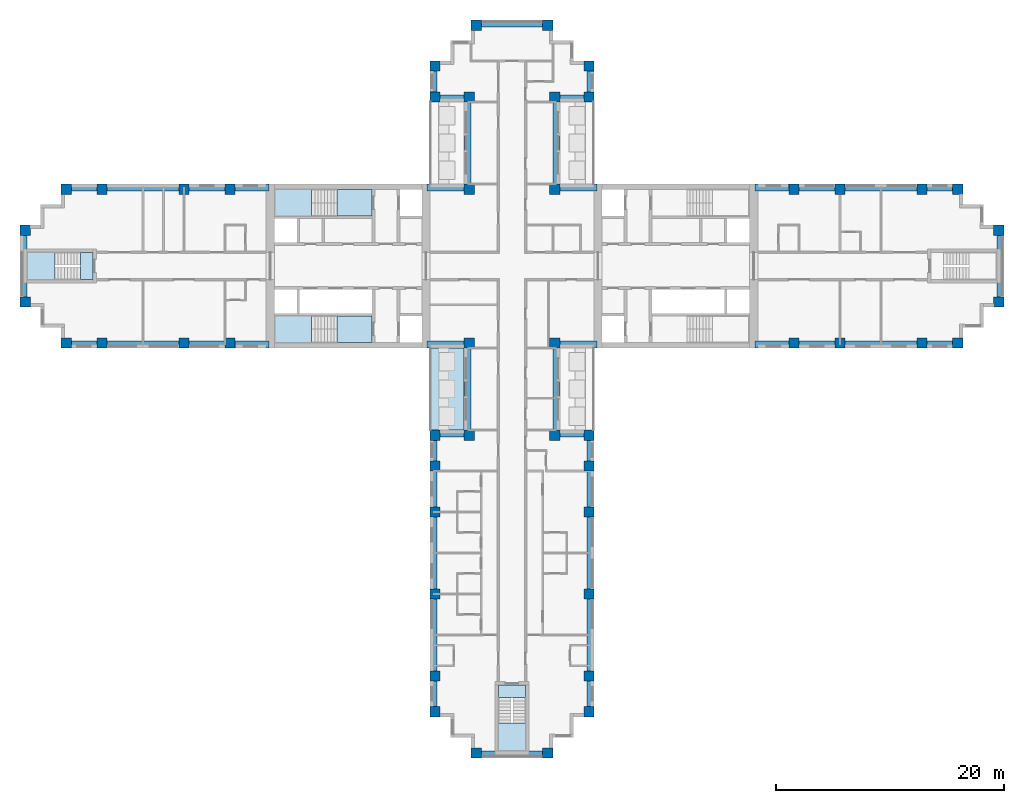
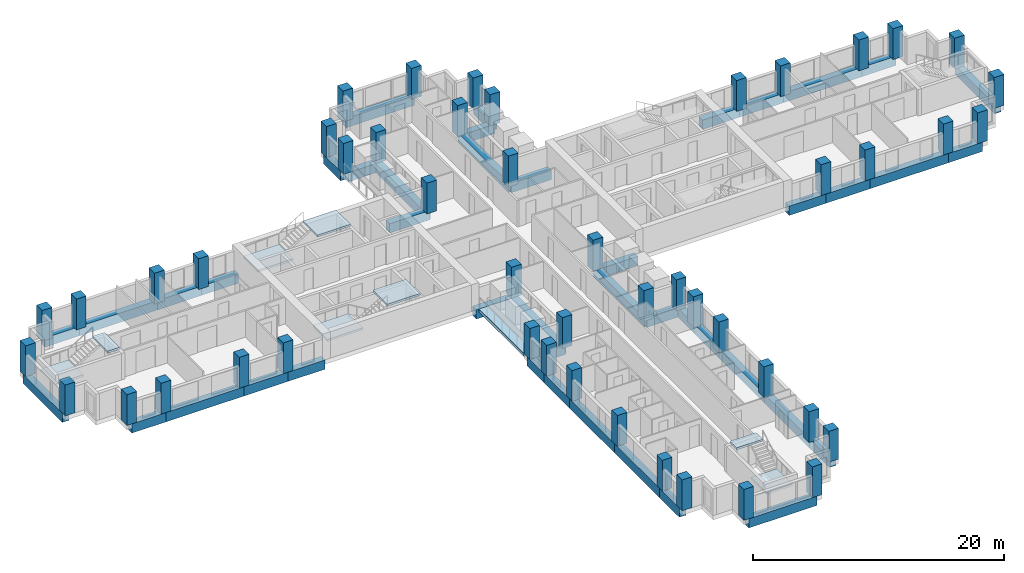
# One storey, part 1 of 13: 48 columns, 44 beams, 9 slabs, 4 elements without a shape of their own.
"""IFC4 building model written with IfcOpenShell, lengths in metres."""

import ifcopenshell
import ifcopenshell.guid

model = None  # the IFC model being written
_history = None  # IfcOwnerHistory: only IFC2X3 demands one
_inside = {}  # id of a spatial element -> (the spatial element, [elements in it])
_under = {}  # id of a project, library or spatial element -> (it, [spatial elements below it])
_declared = {}  # id of a project -> (the project, [libraries it declares])
_typed = {}  # id of a type object -> (the type object, [elements of that type])
_made_of = {}  # id of a material, layer set ... -> (it, [elements and type objects made of it])


def new_model(schema):
    """Start an empty IFC model of exactly this schema.

    Asked for "IFC4X3", IfcOpenShell would pick the latest addendum, in which some entities
    have other attributes; the version numbers below select the first issue.
    IFC2X3 requires an IfcOwnerHistory on every rooted entity: one is made here for all.
    """
    global model, _history
    if schema == "IFC4X3":
        model = ifcopenshell.file(schema_version=(4, 3, 0, 0))
    else:
        model = ifcopenshell.file(schema=schema)
    _inside.clear()
    _under.clear()
    _declared.clear()
    _typed.clear()
    _made_of.clear()
    _history = None
    if model.schema == "IFC2X3":
        org = make("IfcOrganization", Name="unknown")
        user = make(
            "IfcPersonAndOrganization",
            ThePerson=make("IfcPerson", FamilyName="unknown"),
            TheOrganization=org,
        )
        app = make(
            "IfcApplication",
            ApplicationDeveloper=org,
            Version="unknown",
            ApplicationFullName="unknown",
            ApplicationIdentifier="unknown",
        )
        _history = make(
            "IfcOwnerHistory",
            OwningUser=user,
            OwningApplication=app,
            ChangeAction="ADDED",
            CreationDate=0,
        )
    return model


def make(cls, **values):
    """One entity of the class cls with the attributes given. An attribute that is None is left unset."""
    return model.create_entity(
        cls, **{name: value for name, value in values.items() if value is not None}
    )


def rooted(cls, **values):
    """An entity with a GlobalId (a new one), such as an element, a storey or a relation."""
    return make(cls, GlobalId=ifcopenshell.guid.new(), OwnerHistory=_history, **values)


def si_unit(unit_type, name, prefix=None):
    """IfcSIUnit, for example si_unit("LENGTHUNIT", "METRE", prefix="MILLI")."""
    return make("IfcSIUnit", UnitType=unit_type, Prefix=prefix, Name=name)


def assignment(units):
    """IfcUnitAssignment: the units of a project."""
    return None if units is None else make("IfcUnitAssignment", Units=units)


def point(xyz):
    """IfcCartesianPoint."""
    return None if xyz is None else make("IfcCartesianPoint", Coordinates=xyz)


def direction(xyz):
    """IfcDirection."""
    return None if xyz is None else make("IfcDirection", DirectionRatios=xyz)


def frame(location, z_axis=None, x_axis=None):
    """IfcAxis2Placement3D, a coordinate frame: its origin and axes. An axis left out is left unset."""
    return make(
        "IfcAxis2Placement3D",
        Location=point(location),
        Axis=direction(z_axis),
        RefDirection=direction(x_axis),
    )


def frame_2d(location, x_axis=None):
    """IfcAxis2Placement2D, a coordinate frame in the plane: its origin and x axis."""
    return make(
        "IfcAxis2Placement2D", Location=point(location), RefDirection=direction(x_axis)
    )


def origin():
    """The frame at (0, 0, 0) with its axes left unset."""
    return frame((0.0, 0.0, 0.0))


def origin_2d():
    """The frame at (0, 0) in the plane with its x axis left unset."""
    return frame_2d((0.0, 0.0))


def place(relative_to, where):
    """IfcLocalPlacement: puts the frame where relative to a parent placement (None: the world)."""
    return make(
        "IfcLocalPlacement", PlacementRelTo=relative_to, RelativePlacement=where
    )


def context(
    kind, dimensions, precision=None, world=None, true_north=None, identifier=None
):
    """IfcGeometricRepresentationContext, for example the 3D "Model" context."""
    return make(
        "IfcGeometricRepresentationContext",
        ContextIdentifier=identifier,
        ContextType=kind,
        CoordinateSpaceDimension=dimensions,
        Precision=precision,
        WorldCoordinateSystem=world,
        TrueNorth=true_north,
    )


def subcontext(parent, identifier, kind, view, scale=None):
    """IfcGeometricRepresentationSubContext, for example "Body" below "Model"."""
    return make(
        "IfcGeometricRepresentationSubContext",
        ContextIdentifier=identifier,
        ContextType=kind,
        ParentContext=parent,
        TargetScale=scale,
        TargetView=view,
    )


def project(units=None, contexts=None):
    """IfcProject with its units and contexts."""
    return rooted(
        "IfcProject",
        Name="project",
        RepresentationContexts=contexts,
        UnitsInContext=assignment(units),
    )


def spatial(cls, under=None, at=None, **own):
    """A site, building, storey or space (cls), placed at a placement, below another one or the project."""
    s = rooted(cls, ObjectPlacement=at, **own)
    if under is not None:
        _under.setdefault(under.id(), (under, []))[1].append(s)
    return s


def polyline(points):
    """IfcPolyline through the points."""
    return make("IfcPolyline", Points=[point(p) for p in points])


def profile(cls, at=None, kind="AREA", **sizes):
    """A parametric profile (cls). Its sizes go by their IFC names, for example OverallWidth=200.0."""
    return make(cls, ProfileType=kind, Position=at, **sizes)


def rectangle(**sizes):
    """IfcRectangleProfileDef."""
    return profile("IfcRectangleProfileDef", **sizes)


def outline(outer, holes=None, kind="AREA"):
    """IfcArbitraryClosedProfileDef: a profile drawn as a closed curve; with holes, ...WithVoids."""
    if holes is None:
        return make("IfcArbitraryClosedProfileDef", ProfileType=kind, OuterCurve=outer)
    return make(
        "IfcArbitraryProfileDefWithVoids",
        ProfileType=kind,
        OuterCurve=outer,
        InnerCurves=holes,
    )


def extrude(swept, where, along, depth):
    """IfcExtrudedAreaSolid: the profile swept, set in the frame where, extruded along a direction by depth."""
    return make(
        "IfcExtrudedAreaSolid",
        SweptArea=swept,
        Position=where,
        ExtrudedDirection=direction(along),
        Depth=depth,
    )


def shape(context_of_items, identifier, shape_type, items):
    """IfcShapeRepresentation: the items that make up one representation, for example the "Body"."""
    return make(
        "IfcShapeRepresentation",
        ContextOfItems=context_of_items,
        RepresentationIdentifier=identifier,
        RepresentationType=shape_type,
        Items=items,
    )


def material(Name=None, Category=None):
    """IfcMaterial."""
    return make("IfcMaterial", Name=Name, Category=Category)


def layer(
    of_material, thickness, ventilated=None, Name=None, Category=None, Priority=None
):
    """IfcMaterialLayer: one layer of a wall or slab, of a material (None: an air gap)."""
    return make(
        "IfcMaterialLayer",
        Material=of_material,
        LayerThickness=thickness,
        IsVentilated=ventilated,
        Name=Name,
        Category=Category,
        Priority=Priority,
    )


def layer_set(layers, Name=None):
    """IfcMaterialLayerSet."""
    return make("IfcMaterialLayerSet", MaterialLayers=layers, LayerSetName=Name)


def material_profile(
    of_material, cross_section, Name=None, Category=None, Priority=None
):
    """IfcMaterialProfile: a cross section and its material."""
    return make(
        "IfcMaterialProfile",
        Name=Name,
        Material=of_material,
        Profile=cross_section,
        Priority=Priority,
        Category=Category,
    )


def profile_set(profiles, Name=None, composite=None):
    """IfcMaterialProfileSet."""
    return make(
        "IfcMaterialProfileSet",
        Name=Name,
        MaterialProfiles=profiles,
        CompositeProfile=composite,
    )


def made_of(thing, what):
    """Note that an element or type object is made of a material, layer set ...; save() writes the relation."""
    if what is not None:
        _made_of.setdefault(what.id(), (what, []))[1].append(thing)
    return thing


def type_object(cls, material=None, **own):
    """A type object (cls), such as IfcWallType, which elements share."""
    return made_of(rooted(cls, **own), material)


def element(
    cls,
    number,
    at=None,
    inside=None,
    cuts=None,
    type_object=None,
    material=None,
    context=None,
    identifier="Body",
    shape_type=None,
    held_by="IfcProductDefinitionShape",
    body=None,
    shapes=None,
    **own,
):
    """One element of the class cls, such as IfcWall. Its Tag is "e" and its number.

    at: its placement. inside: the storey or other place that contains it. cuts: it is an
    opening in that element (IfcRelVoidsElement). A single representation is given by context,
    identifier, shape_type and body (its items); several are given by shapes. held_by: the class
    of the entity that holds the representations. save() writes the other relations.
    """
    e = rooted(cls, Tag="e%d" % number, ObjectPlacement=at, **own)
    if body is not None:
        shapes = [shape(context, identifier, shape_type, body)]
    if shapes is not None:
        e.Representation = make(held_by, Representations=shapes)
    if inside is not None:
        _inside.setdefault(inside.id(), (inside, []))[1].append(e)
    if cuts is not None:
        rooted(
            "IfcRelVoidsElement", RelatingBuildingElement=cuts, RelatedOpeningElement=e
        )
    if type_object is not None:
        _typed.setdefault(type_object.id(), (type_object, []))[1].append(e)
    return made_of(e, material)


def aggregate(whole, parts):
    """IfcRelAggregates: a whole, such as a stair, and the parts it consists of."""
    return rooted("IfcRelAggregates", RelatingObject=whole, RelatedObjects=parts)


def save(model, path):
    """Write the relations noted so far, then the file.

    IfcRelAggregates (storeys below a building ...), IfcRelContainedInSpatialStructure (elements
    in a storey), IfcRelDefinesByType, IfcRelAssociatesMaterial and IfcRelDeclares: one each for
    every whole, place, type object, material and project.
    """
    for whole, parts in _under.values():
        aggregate(whole, parts)
    for where, things in _inside.values():
        rooted(
            "IfcRelContainedInSpatialStructure",
            RelatedElements=things,
            RelatingStructure=where,
        )
    for kind, things in _typed.values():
        rooted("IfcRelDefinesByType", RelatedObjects=things, RelatingType=kind)
    for what, things in _made_of.values():
        rooted("IfcRelAssociatesMaterial", RelatedObjects=things, RelatingMaterial=what)
    for by, libraries in _declared.values():
        rooted("IfcRelDeclares", RelatingContext=by, RelatedDefinitions=libraries)
    model.write(path)


model = new_model("IFC4")

# Units and contexts
model_context = context("Model", 3, precision=1e-05, world=origin(), true_north=direction((0.0, 1.0)))
body_context = subcontext(model_context, "Body", "Model", "MODEL_VIEW")
ifc_project = project(units=[si_unit("LENGTHUNIT", "METRE"), si_unit("AREAUNIT", "SQUARE_METRE"), si_unit("VOLUMEUNIT", "CUBIC_METRE"), si_unit("PLANEANGLEUNIT", "RADIAN"), si_unit("MASSUNIT", "GRAM", prefix="KILO")], contexts=[model_context])

# Site, building, storey
site_placement = place(None, origin())
site = spatial("IfcSite", under=ifc_project, at=site_placement, CompositionType="ELEMENT")
building_placement = place(site_placement, origin())
building = spatial("IfcBuilding", under=site, at=building_placement, Name="Fustian Cross Tower", CompositionType="ELEMENT")
storey_placement = place(building_placement, frame((0.0, 0.0, 84.89990234375)))
storey = spatial("IfcBuildingStorey", under=building, at=storey_placement, Name="L26", CompositionType="ELEMENT", Elevation=84.89990234375)

# Columns
ifc_material_1 = material(Name="Concrete C60/75", Category="concrete")
ifc_material_profile_1 = material_profile(ifc_material_1, rectangle(XDim=0.89990234375, YDim=0.89990234375, at=origin_2d()), Name="RC 900x900")
ifc_profile_set_1 = profile_set([ifc_material_profile_1], Name="Concrete C60/75")
column_type = type_object("IfcColumnType", Name="COLUMN RC 900x900 C60/75", PredefinedType="COLUMN", material=ifc_profile_set_1)
for number, where, z_axis, x_axis, name in (
    (1, (-42.75, -3.14990234375, 0.0), (0.0, 0.0, 1.0), (1.0, 0.0, 0.0), "COLUMN 001"),
    (2, (-42.75, 3.14990234375, 0.0), (0.0, 0.0, 1.0), (1.0, 0.0, 0.0), "COLUMN 002"),
    (3, (-39.14990234375, -6.75, 0.0), (0.0, 0.0, 1.0), (1.0, 0.0, 0.0), "COLUMN 003"),
    (4, (-39.14990234375, 6.75, 0.0), (0.0, 0.0, 1.0), (1.0, 0.0, 0.0), "COLUMN 004"),
    (5, (-36.0, -6.75, 0.0), (0.0, 0.0, 1.0), (1.0, 0.0, 0.0), "COLUMN 005"),
    (6, (-36.0, 6.75, 0.0), (0.0, 0.0, 1.0), (1.0, 0.0, 0.0), "COLUMN 006"),
    (7, (-28.800048828125, -6.75, 0.0), (0.0, 0.0, 1.0), (1.0, 0.0, 0.0), "COLUMN 007"),
    (8, (-28.800048828125, 6.75, 0.0), (0.0, 0.0, 1.0), (1.0, 0.0, 0.0), "COLUMN 010"),
    (9, (-24.75, -6.75, 0.0), (0.0, 0.0, 1.0), (1.0, 0.0, 0.0), "COLUMN 011"),
    (10, (-24.75, 6.75, 0.0), (0.0, 0.0, 1.0), (1.0, 0.0, 0.0), "COLUMN 012"),
    (11, (-6.75, -39.14990234375, 0.0), (0.0, 0.0, 1.0), (1.0, 0.0, 0.0), "COLUMN 013"),
    (12, (-6.75, -36.0, 0.0), (0.0, 0.0, 1.0), (1.0, 0.0, 0.0), "COLUMN 014"),
    (13, (-6.75, -28.800048828125, 0.0), (0.0, 0.0, 1.0), (1.0, 0.0, 0.0), "COLUMN 015"),
    (14, (-6.75, -21.60009765625, 0.0), (0.0, 0.0, 1.0), (1.0, 0.0, 0.0), "COLUMN 016"),
    (15, (-6.75, -17.550048828125, 0.0), (0.0, 0.0, 1.0), (1.0, 0.0, 0.0), "COLUMN 017"),
    (16, (-6.75, -14.85009765625, 0.0), (0.0, 0.0, 1.0), (1.0, 0.0, 0.0), "COLUMN 018"),
    (17, (-6.75, 14.85009765625, 0.0), (0.0, 0.0, 1.0), (1.0, 0.0, 0.0), "COLUMN 019"),
    (18, (-6.75, 17.550048828125, 0.0), (0.0, 0.0, 1.0), (1.0, 0.0, 0.0), "COLUMN 020"),
    (19, (-3.75, -14.85009765625, 0.0), (0.0, 0.0, 1.0), (1.0, 0.0, 0.0), "COLUMN 025"),
    (20, (-3.75, -6.75, 0.0), (0.0, 0.0, 1.0), (1.0, 0.0, 0.0), "COLUMN 026"),
    (21, (-3.75, 6.75, 0.0), (0.0, 0.0, 1.0), (1.0, 0.0, 0.0), "COLUMN 027"),
    (22, (-3.75, 14.85009765625, 0.0), (0.0, 0.0, 1.0), (1.0, 0.0, 0.0), "COLUMN 028"),
    (23, (-3.14990234375, -42.75, 0.0), (0.0, 0.0, 1.0), (1.0, 0.0, 0.0), "COLUMN 029"),
    (24, (-3.14990234375, 21.14990234375, 0.0), (0.0, 0.0, 1.0), (1.0, 0.0, 0.0), "COLUMN 031"),
    (25, (3.14990234375, -42.75, 0.0), (0.0, 0.0, 1.0), (1.0, 0.0, 0.0), "COLUMN 033"),
    (26, (3.14990234375, 21.14990234375, 0.0), (0.0, 0.0, 1.0), (1.0, 0.0, 0.0), "COLUMN 035"),
    (27, (3.75, -14.85009765625, 0.0), (0.0, 0.0, 1.0), (1.0, 0.0, 0.0), "COLUMN 037"),
    (28, (3.75, -6.75, 0.0), (0.0, 0.0, 1.0), (1.0, 0.0, 0.0), "COLUMN 038"),
    (29, (3.75, 6.75, 0.0), (0.0, 0.0, 1.0), (1.0, 0.0, 0.0), "COLUMN 039"),
    (30, (3.75, 14.85009765625, 0.0), (0.0, 0.0, 1.0), (1.0, 0.0, 0.0), "COLUMN 040"),
    (31, (6.75, -39.14990234375, 0.0), (0.0, 0.0, 1.0), (1.0, 0.0, 0.0), "COLUMN 041"),
    (32, (6.75, -36.0, 0.0), (0.0, 0.0, 1.0), (1.0, 0.0, 0.0), "COLUMN 042"),
    (33, (6.75, -28.800048828125, 0.0), (0.0, 0.0, 1.0), (1.0, 0.0, 0.0), "COLUMN 043"),
    (34, (6.75, -21.60009765625, 0.0), (0.0, 0.0, 1.0), (1.0, 0.0, 0.0), "COLUMN 044"),
    (35, (6.75, -17.550048828125, 0.0), (0.0, 0.0, 1.0), (1.0, 0.0, 0.0), "COLUMN 045"),
    (36, (6.75, -14.85009765625, 0.0), (0.0, 0.0, 1.0), (1.0, 0.0, 0.0), "COLUMN 046"),
    (37, (6.75, 14.85009765625, 0.0), (0.0, 0.0, 1.0), (1.0, 0.0, 0.0), "COLUMN 047"),
    (38, (6.75, 17.550048828125, 0.0), (0.0, 0.0, 1.0), (1.0, 0.0, 0.0), "COLUMN 048"),
    (39, (24.75, -6.75, 0.0), (0.0, 0.0, 1.0), (1.0, 0.0, 0.0), "COLUMN 053"),
    (40, (24.75, 6.75, 0.0), (0.0, 0.0, 1.0), (1.0, 0.0, 0.0), "COLUMN 054"),
    (41, (28.800048828125, -6.75, 0.0), (0.0, 0.0, 1.0), (1.0, 0.0, 0.0), "COLUMN 055"),
    (42, (28.800048828125, 6.75, 0.0), (0.0, 0.0, 1.0), (1.0, 0.0, 0.0), "COLUMN 058"),
    (43, (36.0, -6.75, 0.0), (0.0, 0.0, 1.0), (1.0, 0.0, 0.0), "COLUMN 059"),
    (44, (36.0, 6.75, 0.0), (0.0, 0.0, 1.0), (1.0, 0.0, 0.0), "COLUMN 060"),
    (45, (39.14990234375, -6.75, 0.0), (0.0, 0.0, 1.0), (1.0, 0.0, 0.0), "COLUMN 061"),
    (46, (39.14990234375, 6.75, 0.0), (0.0, 0.0, 1.0), (1.0, 0.0, 0.0), "COLUMN 062"),
    (47, (42.75, -3.14990234375, 0.0), (0.0, 0.0, 1.0), (1.0, 0.0, 0.0), "COLUMN 063"),
    (48, (42.75, 3.14990234375, 0.0), (0.0, 0.0, 1.0), (1.0, 0.0, 0.0), "COLUMN 064"),
):
    element("IfcColumn", number, at=place(storey_placement, frame(where, z_axis=z_axis, x_axis=x_axis)), inside=storey, type_object=column_type, Name=name, PredefinedType="COLUMN", context=body_context, shape_type="SweptSolid", body=[
        extrude(rectangle(XDim=0.89990234375, YDim=0.89990234375, at=origin_2d()), origin(), (0.0, 0.0, 1.0), 3.0),
    ])

# Beams
ifc_material_2 = material(Name="Concrete C50/60", Category="concrete")
ifc_material_profile_2 = material_profile(ifc_material_2, rectangle(XDim=0.60009765625, YDim=0.89990234375, at=origin_2d()), Name="RC 600x900")
ifc_profile_set_2 = profile_set([ifc_material_profile_2], Name="Concrete C50/60")
beam_type = type_object("IfcBeamType", Name="EDGE BEAM RC 600x900 C50/60", PredefinedType="SPANDREL", material=ifc_profile_set_2)
beam_1_placement = place(storey_placement, frame((21.35009765625, -6.89990234375, -0.449951171875), z_axis=(1.0, 0.0, 0.0), x_axis=(0.0, 1.0, 0.0)))
element("IfcBeam", 49, at=beam_1_placement, inside=storey, type_object=beam_type, Name="EDGE BEAM L26-01", PredefinedType="SPANDREL", context=body_context, shape_type="SweptSolid", body=[
    extrude(rectangle(XDim=0.60009765625, YDim=0.89990234375, at=origin_2d()), origin(), (0.0, 0.0, 1.0), 3.39990234375),
])
beam_2_placement = place(storey_placement, frame((24.75, -6.89990234375, -0.449951171875), z_axis=(1.0, 0.0, 0.0), x_axis=(0.0, 1.0, 0.0)))
element("IfcBeam", 50, at=beam_2_placement, inside=storey, type_object=beam_type, Name="EDGE BEAM L26-02", PredefinedType="SPANDREL", context=body_context, shape_type="SweptSolid", body=[
    extrude(rectangle(XDim=0.60009765625, YDim=0.89990234375, at=origin_2d()), origin(), (0.0, 0.0, 1.0), 4.050048828125),
])
beam_3_placement = place(storey_placement, frame((28.800048828125, -6.89990234375, -0.449951171875), z_axis=(1.0, 0.0, 0.0), x_axis=(0.0, 1.0, 0.0)))
element("IfcBeam", 51, at=beam_3_placement, inside=storey, type_object=beam_type, Name="EDGE BEAM L26-03", PredefinedType="SPANDREL", context=body_context, shape_type="SweptSolid", body=[
    extrude(rectangle(XDim=0.60009765625, YDim=0.89990234375, at=origin_2d()), origin(), (0.0, 0.0, 1.0), 7.199951171875),
])
beam_4_placement = place(storey_placement, frame((36.0, -6.89990234375, -0.449951171875), z_axis=(1.0, 0.0, 0.0), x_axis=(0.0, 1.0, 0.0)))
element("IfcBeam", 52, at=beam_4_placement, inside=storey, type_object=beam_type, Name="EDGE BEAM L26-04", PredefinedType="SPANDREL", context=body_context, shape_type="SweptSolid", body=[
    extrude(rectangle(XDim=0.60009765625, YDim=0.89990234375, at=origin_2d()), origin(), (0.0, 0.0, 1.0), 3.14990234375),
])
beam_5_placement = place(storey_placement, frame((42.89990234375, -3.14990234375, -0.449951171875), z_axis=(0.0, 1.0, 0.0), x_axis=(-1.0, 0.0, 0.0)))
element("IfcBeam", 53, at=beam_5_placement, inside=storey, type_object=beam_type, Name="EDGE BEAM L26-05", PredefinedType="SPANDREL", context=body_context, shape_type="SweptSolid", body=[
    extrude(rectangle(XDim=0.60009765625, YDim=0.89990234375, at=origin_2d()), origin(), (0.0, 0.0, 1.0), 6.2998046875),
])
beam_6_placement = place(storey_placement, frame((39.14990234375, 6.89990234375, -0.449951171875), z_axis=(-1.0, 0.0, 0.0), x_axis=(0.0, -1.0, 0.0)))
element("IfcBeam", 54, at=beam_6_placement, inside=storey, type_object=beam_type, Name="EDGE BEAM L26-06", PredefinedType="SPANDREL", context=body_context, shape_type="SweptSolid", body=[
    extrude(rectangle(XDim=0.60009765625, YDim=0.89990234375, at=origin_2d()), origin(), (0.0, 0.0, 1.0), 3.14990234375),
])
beam_7_placement = place(storey_placement, frame((36.0, 6.89990234375, -0.449951171875), z_axis=(-1.0, 0.0, 0.0), x_axis=(0.0, -1.0, 0.0)))
element("IfcBeam", 55, at=beam_7_placement, inside=storey, type_object=beam_type, Name="EDGE BEAM L26-07", PredefinedType="SPANDREL", context=body_context, shape_type="SweptSolid", body=[
    extrude(rectangle(XDim=0.60009765625, YDim=0.89990234375, at=origin_2d()), origin(), (0.0, 0.0, 1.0), 7.199951171875),
])
beam_8_placement = place(storey_placement, frame((28.800048828125, 6.89990234375, -0.449951171875), z_axis=(-1.0, 0.0, 0.0), x_axis=(0.0, -1.0, 0.0)))
element("IfcBeam", 56, at=beam_8_placement, inside=storey, type_object=beam_type, Name="EDGE BEAM L26-08", PredefinedType="SPANDREL", context=body_context, shape_type="SweptSolid", body=[
    extrude(rectangle(XDim=0.60009765625, YDim=0.89990234375, at=origin_2d()), origin(), (0.0, 0.0, 1.0), 4.050048828125),
])
beam_9_placement = place(storey_placement, frame((24.75, 6.89990234375, -0.449951171875), z_axis=(-1.0, 0.0, 0.0), x_axis=(0.0, -1.0, 0.0)))
element("IfcBeam", 57, at=beam_9_placement, inside=storey, type_object=beam_type, Name="EDGE BEAM L26-09", PredefinedType="SPANDREL", context=body_context, shape_type="SweptSolid", body=[
    extrude(rectangle(XDim=0.60009765625, YDim=0.89990234375, at=origin_2d()), origin(), (0.0, 0.0, 1.0), 3.39990234375),
])
beam_10_placement = place(storey_placement, frame((7.449951171875, 6.89990234375, -0.449951171875), z_axis=(-1.0, 0.0, 0.0), x_axis=(0.0, -1.0, 0.0)))
element("IfcBeam", 58, at=beam_10_placement, inside=storey, type_object=beam_type, Name="EDGE BEAM L26-10", PredefinedType="SPANDREL", context=body_context, shape_type="SweptSolid", body=[
    extrude(rectangle(XDim=0.60009765625, YDim=0.89990234375, at=origin_2d()), origin(), (0.0, 0.0, 1.0), 3.699951171875),
])
beam_11_placement = place(storey_placement, frame((3.89990234375, 6.75, -0.449951171875), z_axis=(0.0, 1.0, 0.0), x_axis=(-1.0, 0.0, 0.0)))
element("IfcBeam", 59, at=beam_11_placement, inside=storey, type_object=beam_type, Name="EDGE BEAM L26-11", PredefinedType="SPANDREL", context=body_context, shape_type="SweptSolid", body=[
    extrude(rectangle(XDim=0.60009765625, YDim=0.89990234375, at=origin_2d()), origin(), (0.0, 0.0, 1.0), 8.10009765625),
])
beam_12_placement = place(storey_placement, frame((3.75, 14.699951171875, -0.449951171875), z_axis=(1.0, 0.0, 0.0), x_axis=(0.0, 1.0, 0.0)))
element("IfcBeam", 60, at=beam_12_placement, inside=storey, type_object=beam_type, Name="EDGE BEAM L26-12", PredefinedType="SPANDREL", context=body_context, shape_type="SweptSolid", body=[
    extrude(rectangle(XDim=0.60009765625, YDim=0.89990234375, at=origin_2d()), origin(), (0.0, 0.0, 1.0), 3.0),
])
beam_13_placement = place(storey_placement, frame((6.89990234375, 14.85009765625, -0.449951171875), z_axis=(0.0, 1.0, 0.0), x_axis=(-1.0, 0.0, 0.0)))
element("IfcBeam", 61, at=beam_13_placement, inside=storey, type_object=beam_type, Name="EDGE BEAM L26-13", PredefinedType="SPANDREL", context=body_context, shape_type="SweptSolid", body=[
    extrude(rectangle(XDim=0.60009765625, YDim=0.89990234375, at=origin_2d()), origin(), (0.0, 0.0, 1.0), 2.699951171875),
])
beam_14_placement = place(storey_placement, frame((3.14990234375, 21.300048828125, -0.449951171875), z_axis=(-1.0, 0.0, 0.0), x_axis=(0.0, -1.0, 0.0)))
element("IfcBeam", 62, at=beam_14_placement, inside=storey, type_object=beam_type, Name="EDGE BEAM L26-14", PredefinedType="SPANDREL", context=body_context, shape_type="SweptSolid", body=[
    extrude(rectangle(XDim=0.60009765625, YDim=0.89990234375, at=origin_2d()), origin(), (0.0, 0.0, 1.0), 6.2998046875),
])
beam_15_placement = place(storey_placement, frame((-6.89990234375, 17.550048828125, -0.449951171875), z_axis=(0.0, -1.0, 0.0), x_axis=(1.0, 0.0, 0.0)))
element("IfcBeam", 63, at=beam_15_placement, inside=storey, type_object=beam_type, Name="EDGE BEAM L26-15", PredefinedType="SPANDREL", context=body_context, shape_type="SweptSolid", body=[
    extrude(rectangle(XDim=0.60009765625, YDim=0.89990234375, at=origin_2d()), origin(), (0.0, 0.0, 1.0), 2.699951171875),
])
beam_16_placement = place(storey_placement, frame((-6.75, 14.699951171875, -0.449951171875), z_axis=(1.0, 0.0, 0.0), x_axis=(0.0, 1.0, 0.0)))
element("IfcBeam", 64, at=beam_16_placement, inside=storey, type_object=beam_type, Name="EDGE BEAM L26-16", PredefinedType="SPANDREL", context=body_context, shape_type="SweptSolid", body=[
    extrude(rectangle(XDim=0.60009765625, YDim=0.89990234375, at=origin_2d()), origin(), (0.0, 0.0, 1.0), 3.0),
])
beam_17_placement = place(storey_placement, frame((-3.89990234375, 14.85009765625, -0.449951171875), z_axis=(0.0, -1.0, 0.0), x_axis=(1.0, 0.0, 0.0)))
element("IfcBeam", 65, at=beam_17_placement, inside=storey, type_object=beam_type, Name="EDGE BEAM L26-17", PredefinedType="SPANDREL", context=body_context, shape_type="SweptSolid", body=[
    extrude(rectangle(XDim=0.60009765625, YDim=0.89990234375, at=origin_2d()), origin(), (0.0, 0.0, 1.0), 8.10009765625),
])
beam_18_placement = place(storey_placement, frame((-3.75, 6.89990234375, -0.449951171875), z_axis=(-1.0, 0.0, 0.0), x_axis=(0.0, -1.0, 0.0)))
element("IfcBeam", 66, at=beam_18_placement, inside=storey, type_object=beam_type, Name="EDGE BEAM L26-18", PredefinedType="SPANDREL", context=body_context, shape_type="SweptSolid", body=[
    extrude(rectangle(XDim=0.60009765625, YDim=0.89990234375, at=origin_2d()), origin(), (0.0, 0.0, 1.0), 3.699951171875),
])
beam_19_placement = place(storey_placement, frame((-21.35009765625, 6.89990234375, -0.449951171875), z_axis=(-1.0, 0.0, 0.0), x_axis=(0.0, -1.0, 0.0)))
element("IfcBeam", 67, at=beam_19_placement, inside=storey, type_object=beam_type, Name="EDGE BEAM L26-19", PredefinedType="SPANDREL", context=body_context, shape_type="SweptSolid", body=[
    extrude(rectangle(XDim=0.60009765625, YDim=0.89990234375, at=origin_2d()), origin(), (0.0, 0.0, 1.0), 3.39990234375),
])
beam_20_placement = place(storey_placement, frame((-24.75, 6.89990234375, -0.449951171875), z_axis=(-1.0, 0.0, 0.0), x_axis=(0.0, -1.0, 0.0)))
element("IfcBeam", 68, at=beam_20_placement, inside=storey, type_object=beam_type, Name="EDGE BEAM L26-20", PredefinedType="SPANDREL", context=body_context, shape_type="SweptSolid", body=[
    extrude(rectangle(XDim=0.60009765625, YDim=0.89990234375, at=origin_2d()), origin(), (0.0, 0.0, 1.0), 4.050048828125),
])
beam_21_placement = place(storey_placement, frame((-28.800048828125, 6.89990234375, -0.449951171875), z_axis=(-1.0, 0.0, 0.0), x_axis=(0.0, -1.0, 0.0)))
element("IfcBeam", 69, at=beam_21_placement, inside=storey, type_object=beam_type, Name="EDGE BEAM L26-21", PredefinedType="SPANDREL", context=body_context, shape_type="SweptSolid", body=[
    extrude(rectangle(XDim=0.60009765625, YDim=0.89990234375, at=origin_2d()), origin(), (0.0, 0.0, 1.0), 7.199951171875),
])
beam_22_placement = place(storey_placement, frame((-36.0, 6.89990234375, -0.449951171875), z_axis=(-1.0, 0.0, 0.0), x_axis=(0.0, -1.0, 0.0)))
element("IfcBeam", 70, at=beam_22_placement, inside=storey, type_object=beam_type, Name="EDGE BEAM L26-22", PredefinedType="SPANDREL", context=body_context, shape_type="SweptSolid", body=[
    extrude(rectangle(XDim=0.60009765625, YDim=0.89990234375, at=origin_2d()), origin(), (0.0, 0.0, 1.0), 3.14990234375),
])
beam_23_placement = place(storey_placement, frame((-42.89990234375, 3.14990234375, -0.449951171875), z_axis=(0.0, -1.0, 0.0), x_axis=(1.0, 0.0, 0.0)))
element("IfcBeam", 71, at=beam_23_placement, inside=storey, type_object=beam_type, Name="EDGE BEAM L26-23", PredefinedType="SPANDREL", context=body_context, shape_type="SweptSolid", body=[
    extrude(rectangle(XDim=0.60009765625, YDim=0.89990234375, at=origin_2d()), origin(), (0.0, 0.0, 1.0), 6.2998046875),
])
beam_24_placement = place(storey_placement, frame((-39.14990234375, -6.89990234375, -0.449951171875), z_axis=(1.0, 0.0, 0.0), x_axis=(0.0, 1.0, 0.0)))
element("IfcBeam", 72, at=beam_24_placement, inside=storey, type_object=beam_type, Name="EDGE BEAM L26-24", PredefinedType="SPANDREL", context=body_context, shape_type="SweptSolid", body=[
    extrude(rectangle(XDim=0.60009765625, YDim=0.89990234375, at=origin_2d()), origin(), (0.0, 0.0, 1.0), 3.14990234375),
])
beam_25_placement = place(storey_placement, frame((-36.0, -6.89990234375, -0.449951171875), z_axis=(1.0, 0.0, 0.0), x_axis=(0.0, 1.0, 0.0)))
element("IfcBeam", 73, at=beam_25_placement, inside=storey, type_object=beam_type, Name="EDGE BEAM L26-25", PredefinedType="SPANDREL", context=body_context, shape_type="SweptSolid", body=[
    extrude(rectangle(XDim=0.60009765625, YDim=0.89990234375, at=origin_2d()), origin(), (0.0, 0.0, 1.0), 7.199951171875),
])
beam_26_placement = place(storey_placement, frame((-28.800048828125, -6.89990234375, -0.449951171875), z_axis=(1.0, 0.0, 0.0), x_axis=(0.0, 1.0, 0.0)))
element("IfcBeam", 74, at=beam_26_placement, inside=storey, type_object=beam_type, Name="EDGE BEAM L26-26", PredefinedType="SPANDREL", context=body_context, shape_type="SweptSolid", body=[
    extrude(rectangle(XDim=0.60009765625, YDim=0.89990234375, at=origin_2d()), origin(), (0.0, 0.0, 1.0), 4.050048828125),
])
beam_27_placement = place(storey_placement, frame((-24.75, -6.89990234375, -0.449951171875), z_axis=(1.0, 0.0, 0.0), x_axis=(0.0, 1.0, 0.0)))
element("IfcBeam", 75, at=beam_27_placement, inside=storey, type_object=beam_type, Name="EDGE BEAM L26-27", PredefinedType="SPANDREL", context=body_context, shape_type="SweptSolid", body=[
    extrude(rectangle(XDim=0.60009765625, YDim=0.89990234375, at=origin_2d()), origin(), (0.0, 0.0, 1.0), 3.39990234375),
])
beam_28_placement = place(storey_placement, frame((-7.449951171875, -6.89990234375, -0.449951171875), z_axis=(1.0, 0.0, 0.0), x_axis=(0.0, 1.0, 0.0)))
element("IfcBeam", 76, at=beam_28_placement, inside=storey, type_object=beam_type, Name="EDGE BEAM L26-28", PredefinedType="SPANDREL", context=body_context, shape_type="SweptSolid", body=[
    extrude(rectangle(XDim=0.60009765625, YDim=0.89990234375, at=origin_2d()), origin(), (0.0, 0.0, 1.0), 3.699951171875),
])
beam_29_placement = place(storey_placement, frame((-3.89990234375, -6.75, -0.449951171875), z_axis=(0.0, -1.0, 0.0), x_axis=(1.0, 0.0, 0.0)))
element("IfcBeam", 77, at=beam_29_placement, inside=storey, type_object=beam_type, Name="EDGE BEAM L26-29", PredefinedType="SPANDREL", context=body_context, shape_type="SweptSolid", body=[
    extrude(rectangle(XDim=0.60009765625, YDim=0.89990234375, at=origin_2d()), origin(), (0.0, 0.0, 1.0), 8.10009765625),
])
beam_30_placement = place(storey_placement, frame((-3.75, -14.699951171875, -0.449951171875), z_axis=(-1.0, 0.0, 0.0), x_axis=(0.0, -1.0, 0.0)))
element("IfcBeam", 78, at=beam_30_placement, inside=storey, type_object=beam_type, Name="EDGE BEAM L26-30", PredefinedType="SPANDREL", context=body_context, shape_type="SweptSolid", body=[
    extrude(rectangle(XDim=0.60009765625, YDim=0.89990234375, at=origin_2d()), origin(), (0.0, 0.0, 1.0), 3.0),
])
beam_31_placement = place(storey_placement, frame((-6.89990234375, -14.85009765625, -0.449951171875), z_axis=(0.0, -1.0, 0.0), x_axis=(1.0, 0.0, 0.0)))
element("IfcBeam", 79, at=beam_31_placement, inside=storey, type_object=beam_type, Name="EDGE BEAM L26-31", PredefinedType="SPANDREL", context=body_context, shape_type="SweptSolid", body=[
    extrude(rectangle(XDim=0.60009765625, YDim=0.89990234375, at=origin_2d()), origin(), (0.0, 0.0, 1.0), 2.699951171875),
])
beam_32_placement = place(storey_placement, frame((-6.89990234375, -17.550048828125, -0.449951171875), z_axis=(0.0, -1.0, 0.0), x_axis=(1.0, 0.0, 0.0)))
element("IfcBeam", 80, at=beam_32_placement, inside=storey, type_object=beam_type, Name="EDGE BEAM L26-32", PredefinedType="SPANDREL", context=body_context, shape_type="SweptSolid", body=[
    extrude(rectangle(XDim=0.60009765625, YDim=0.89990234375, at=origin_2d()), origin(), (0.0, 0.0, 1.0), 4.050048828125),
])
for number, where, z_axis, x_axis, name in (
    (81, (-6.89990234375, -21.60009765625, -0.449951171875), (0.0, -1.0, 0.0), (1.0, 0.0, 0.0), "EDGE BEAM L26-33"),
    (82, (-6.89990234375, -28.800048828125, -0.449951171875), (0.0, -1.0, 0.0), (1.0, 0.0, 0.0), "EDGE BEAM L26-34"),
):
    element("IfcBeam", number, at=place(storey_placement, frame(where, z_axis=z_axis, x_axis=x_axis)), inside=storey, type_object=beam_type, Name=name, PredefinedType="SPANDREL", context=body_context, shape_type="SweptSolid", body=[
        extrude(rectangle(XDim=0.60009765625, YDim=0.89990234375, at=origin_2d()), origin(), (0.0, 0.0, 1.0), 7.199951171875),
    ])
beam_33_placement = place(storey_placement, frame((-6.89990234375, -36.0, -0.449951171875), z_axis=(0.0, -1.0, 0.0), x_axis=(1.0, 0.0, 0.0)))
element("IfcBeam", 83, at=beam_33_placement, inside=storey, type_object=beam_type, Name="EDGE BEAM L26-35", PredefinedType="SPANDREL", context=body_context, shape_type="SweptSolid", body=[
    extrude(rectangle(XDim=0.60009765625, YDim=0.89990234375, at=origin_2d()), origin(), (0.0, 0.0, 1.0), 3.14990234375),
])
beam_34_placement = place(storey_placement, frame((-3.14990234375, -42.89990234375, -0.449951171875), z_axis=(1.0, 0.0, 0.0), x_axis=(0.0, 1.0, 0.0)))
element("IfcBeam", 84, at=beam_34_placement, inside=storey, type_object=beam_type, Name="EDGE BEAM L26-36", PredefinedType="SPANDREL", context=body_context, shape_type="SweptSolid", body=[
    extrude(rectangle(XDim=0.60009765625, YDim=0.89990234375, at=origin_2d()), origin(), (0.0, 0.0, 1.0), 6.2998046875),
])
beam_35_placement = place(storey_placement, frame((6.89990234375, -39.14990234375, -0.449951171875), z_axis=(0.0, 1.0, 0.0), x_axis=(-1.0, 0.0, 0.0)))
element("IfcBeam", 85, at=beam_35_placement, inside=storey, type_object=beam_type, Name="EDGE BEAM L26-37", PredefinedType="SPANDREL", context=body_context, shape_type="SweptSolid", body=[
    extrude(rectangle(XDim=0.60009765625, YDim=0.89990234375, at=origin_2d()), origin(), (0.0, 0.0, 1.0), 3.14990234375),
])
for number, where, z_axis, x_axis, name in (
    (86, (6.89990234375, -36.0, -0.449951171875), (0.0, 1.0, 0.0), (-1.0, 0.0, 0.0), "EDGE BEAM L26-38"),
    (87, (6.89990234375, -28.800048828125, -0.449951171875), (0.0, 1.0, 0.0), (-1.0, 0.0, 0.0), "EDGE BEAM L26-39"),
):
    element("IfcBeam", number, at=place(storey_placement, frame(where, z_axis=z_axis, x_axis=x_axis)), inside=storey, type_object=beam_type, Name=name, PredefinedType="SPANDREL", context=body_context, shape_type="SweptSolid", body=[
        extrude(rectangle(XDim=0.60009765625, YDim=0.89990234375, at=origin_2d()), origin(), (0.0, 0.0, 1.0), 7.199951171875),
    ])
beam_36_placement = place(storey_placement, frame((6.89990234375, -21.60009765625, -0.449951171875), z_axis=(0.0, 1.0, 0.0), x_axis=(-1.0, 0.0, 0.0)))
element("IfcBeam", 88, at=beam_36_placement, inside=storey, type_object=beam_type, Name="EDGE BEAM L26-40", PredefinedType="SPANDREL", context=body_context, shape_type="SweptSolid", body=[
    extrude(rectangle(XDim=0.60009765625, YDim=0.89990234375, at=origin_2d()), origin(), (0.0, 0.0, 1.0), 4.050048828125),
])
beam_37_placement = place(storey_placement, frame((6.89990234375, -17.550048828125, -0.449951171875), z_axis=(0.0, 1.0, 0.0), x_axis=(-1.0, 0.0, 0.0)))
element("IfcBeam", 89, at=beam_37_placement, inside=storey, type_object=beam_type, Name="EDGE BEAM L26-41", PredefinedType="SPANDREL", context=body_context, shape_type="SweptSolid", body=[
    extrude(rectangle(XDim=0.60009765625, YDim=0.89990234375, at=origin_2d()), origin(), (0.0, 0.0, 1.0), 2.699951171875),
])
beam_38_placement = place(storey_placement, frame((6.75, -14.699951171875, -0.449951171875), z_axis=(-1.0, 0.0, 0.0), x_axis=(0.0, -1.0, 0.0)))
element("IfcBeam", 90, at=beam_38_placement, inside=storey, type_object=beam_type, Name="EDGE BEAM L26-42", PredefinedType="SPANDREL", context=body_context, shape_type="SweptSolid", body=[
    extrude(rectangle(XDim=0.60009765625, YDim=0.89990234375, at=origin_2d()), origin(), (0.0, 0.0, 1.0), 3.0),
])
beam_39_placement = place(storey_placement, frame((3.89990234375, -14.85009765625, -0.449951171875), z_axis=(0.0, 1.0, 0.0), x_axis=(-1.0, 0.0, 0.0)))
element("IfcBeam", 91, at=beam_39_placement, inside=storey, type_object=beam_type, Name="EDGE BEAM L26-43", PredefinedType="SPANDREL", context=body_context, shape_type="SweptSolid", body=[
    extrude(rectangle(XDim=0.60009765625, YDim=0.89990234375, at=origin_2d()), origin(), (0.0, 0.0, 1.0), 8.10009765625),
])
beam_40_placement = place(storey_placement, frame((3.75, -6.89990234375, -0.449951171875), z_axis=(1.0, 0.0, 0.0), x_axis=(0.0, 1.0, 0.0)))
element("IfcBeam", 92, at=beam_40_placement, inside=storey, type_object=beam_type, Name="EDGE BEAM L26-44", PredefinedType="SPANDREL", context=body_context, shape_type="SweptSolid", body=[
    extrude(rectangle(XDim=0.60009765625, YDim=0.89990234375, at=origin_2d()), origin(), (0.0, 0.0, 1.0), 3.699951171875),
])

# Slab
ifc_material_3 = material(Name="Concrete C40/50", Category="concrete")
ifc_layer_1 = layer(ifc_material_3, 0.300048828125)
ifc_layer_set_1 = layer_set([ifc_layer_1], Name="Concrete C40/50")
slab_type_1 = type_object("IfcSlabType", Name="BS1 BALCONY SLAB 300", PredefinedType="FLOOR", material=ifc_layer_set_1)
slab_1_placement = place(storey_placement, frame((0.0, 0.0, -0.2998046875)))
element("IfcSlab", 93, at=slab_1_placement, inside=storey, type_object=slab_type_1, Name="Balcony slab", PredefinedType="FLOOR", context=body_context, shape_type="SweptSolid", body=[
    extrude(outline(polyline([(-7.199951171875, -14.39990234375), (-4.199951171875, -14.39990234375), (-4.199951171875, -7.199951171875), (-7.199951171875, -7.199951171875), (-7.199951171875, -14.39990234375)])), origin(), (0.0, 0.0, 1.0), 0.2998046875),
])

# Stair, slabs
ifc_material_4 = material(Name="Concrete C50/60", Category="concrete")
stair_type_1 = type_object("IfcStairType", Name="STAIR 1150 HALF TURN", PredefinedType="HALF_TURN_STAIR", material=ifc_material_4)
stair_1_placement = place(storey_placement, origin())
stair_1 = element("IfcStair", 94, at=stair_1_placement, inside=storey, type_object=stair_type_1, Name="Stair ST3", PredefinedType="HALF_TURN_STAIR")
ifc_material_5 = material(Name="Concrete C50/60", Category="concrete")
ifc_layer_2 = layer(ifc_material_5, 0.199951171875)
ifc_layer_set_2 = layer_set([ifc_layer_2], Name="Concrete C50/60")
slab_type_2 = type_object("IfcSlabType", Name="STAIR LANDING", PredefinedType="LANDING", material=ifc_layer_set_2)
slab_2_placement = place(storey_placement, frame((0.0, 0.0, 1.300048828125)))
slab_2 = element("IfcSlab", 95, at=slab_2_placement, type_object=slab_type_2, Name="ST3 landing 1", PredefinedType="LANDING", context=body_context, shape_type="SweptSolid", body=[
    extrude(outline(polyline([(-17.590087890625, 4.39990234375), (-20.85009765625, 4.39990234375), (-20.85009765625, 6.699951171875), (-17.590087890625, 6.699951171875), (-17.590087890625, 4.39990234375)])), origin(), (0.0, 0.0, 1.0), 0.199951171875),
])
slab_3_placement = place(storey_placement, frame((0.0, 0.0, 2.800048828125)))
slab_3 = element("IfcSlab", 96, at=slab_3_placement, type_object=slab_type_2, Name="ST3 landing 2", PredefinedType="LANDING", context=body_context, shape_type="SweptSolid", body=[
    extrude(outline(polyline([(-12.300048828125, 4.39990234375), (-15.35009765625, 4.39990234375), (-15.35009765625, 6.699951171875), (-12.300048828125, 6.699951171875), (-12.300048828125, 4.39990234375)])), origin(), (0.0, 0.0, 1.0), 0.199951171875),
])
aggregate(stair_1, [slab_2, slab_3])

stair_2_placement = place(storey_placement, origin())
stair_2 = element("IfcStair", 97, at=stair_2_placement, inside=storey, type_object=stair_type_1, Name="Stair ST4", PredefinedType="HALF_TURN_STAIR")
slab_4_placement = place(storey_placement, frame((0.0, 0.0, 1.300048828125)))
slab_4 = element("IfcSlab", 98, at=slab_4_placement, type_object=slab_type_2, Name="ST4 landing 1", PredefinedType="LANDING", context=body_context, shape_type="SweptSolid", body=[
    extrude(outline(polyline([(-17.590087890625, -4.39990234375), (-20.85009765625, -4.39990234375), (-20.85009765625, -6.699951171875), (-17.590087890625, -6.699951171875), (-17.590087890625, -4.39990234375)])), origin(), (0.0, 0.0, 1.0), 0.199951171875),
])
slab_5_placement = place(storey_placement, frame((0.0, 0.0, 2.800048828125)))
slab_5 = element("IfcSlab", 99, at=slab_5_placement, type_object=slab_type_2, Name="ST4 landing 2", PredefinedType="LANDING", context=body_context, shape_type="SweptSolid", body=[
    extrude(outline(polyline([(-12.300048828125, -4.39990234375), (-15.35009765625, -4.39990234375), (-15.35009765625, -6.699951171875), (-12.300048828125, -6.699951171875), (-12.300048828125, -4.39990234375)])), origin(), (0.0, 0.0, 1.0), 0.199951171875),
])
aggregate(stair_2, [slab_4, slab_5])

ifc_material_6 = material(Name="Concrete C50/60", Category="concrete")
stair_type_2 = type_object("IfcStairType", Name="STAIR 1100 HALF TURN", PredefinedType="HALF_TURN_STAIR", material=ifc_material_6)
stair_3_placement = place(storey_placement, origin())
stair_3 = element("IfcStair", 100, at=stair_3_placement, inside=storey, type_object=stair_type_2, Name="Stair ST6", PredefinedType="HALF_TURN_STAIR")
slab_6_placement = place(storey_placement, frame((0.0, 0.0, 1.300048828125)))
slab_6 = element("IfcSlab", 101, at=slab_6_placement, type_object=slab_type_2, Name="ST6 landing 1", PredefinedType="LANDING", context=body_context, shape_type="SweptSolid", body=[
    extrude(outline(polyline([(-1.199951171875, -40.139892578125), (-1.199951171875, -42.60009765625), (1.199951171875, -42.60009765625), (1.199951171875, -40.139892578125), (-1.199951171875, -40.139892578125)])), origin(), (0.0, 0.0, 1.0), 0.199951171875),
])
slab_7_placement = place(storey_placement, frame((0.0, 0.0, 2.800048828125)))
slab_7 = element("IfcSlab", 102, at=slab_7_placement, type_object=slab_type_2, Name="ST6 landing 2", PredefinedType="LANDING", context=body_context, shape_type="SweptSolid", body=[
    extrude(outline(polyline([(-1.199951171875, -36.800048828125), (-1.199951171875, -37.89990234375), (1.199951171875, -37.89990234375), (1.199951171875, -36.800048828125), (-1.199951171875, -36.800048828125)])), origin(), (0.0, 0.0, 1.0), 0.199951171875),
])
aggregate(stair_3, [slab_6, slab_7])

stair_4_placement = place(storey_placement, origin())
stair_4 = element("IfcStair", 103, at=stair_4_placement, inside=storey, type_object=stair_type_2, Name="Stair ST9", PredefinedType="HALF_TURN_STAIR")
slab_8_placement = place(storey_placement, frame((0.0, 0.0, 1.300048828125)))
slab_8 = element("IfcSlab", 104, at=slab_8_placement, type_object=slab_type_2, Name="ST9 landing 1", PredefinedType="LANDING", context=body_context, shape_type="SweptSolid", body=[
    extrude(outline(polyline([(-40.139892578125, -1.199951171875), (-42.60009765625, -1.199951171875), (-42.60009765625, 1.199951171875), (-40.139892578125, 1.199951171875), (-40.139892578125, -1.199951171875)])), origin(), (0.0, 0.0, 1.0), 0.199951171875),
])
slab_9_placement = place(storey_placement, frame((0.0, 0.0, 2.800048828125)))
slab_9 = element("IfcSlab", 105, at=slab_9_placement, type_object=slab_type_2, Name="ST9 landing 2", PredefinedType="LANDING", context=body_context, shape_type="SweptSolid", body=[
    extrude(outline(polyline([(-36.800048828125, -1.199951171875), (-37.89990234375, -1.199951171875), (-37.89990234375, 1.199951171875), (-36.800048828125, 1.199951171875), (-36.800048828125, -1.199951171875)])), origin(), (0.0, 0.0, 1.0), 0.199951171875),
])
aggregate(stair_4, [slab_8, slab_9])

save(model, "model.ifc")
